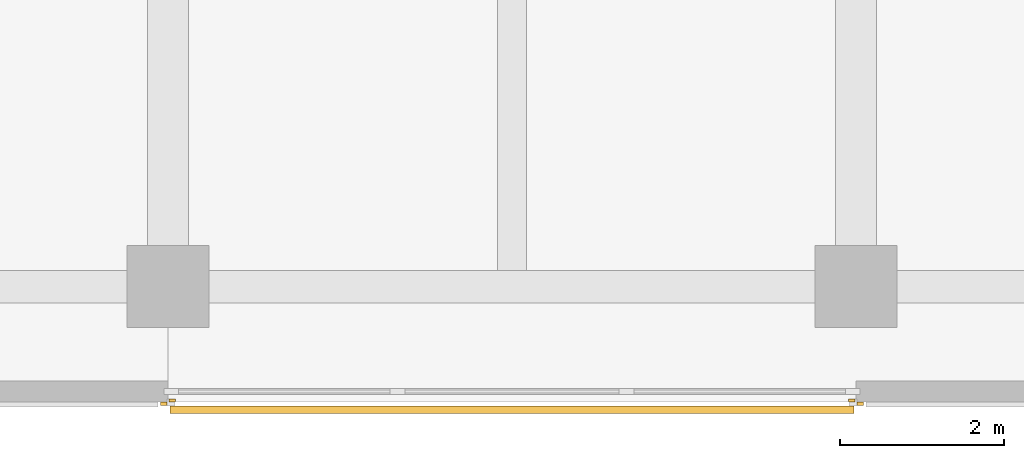
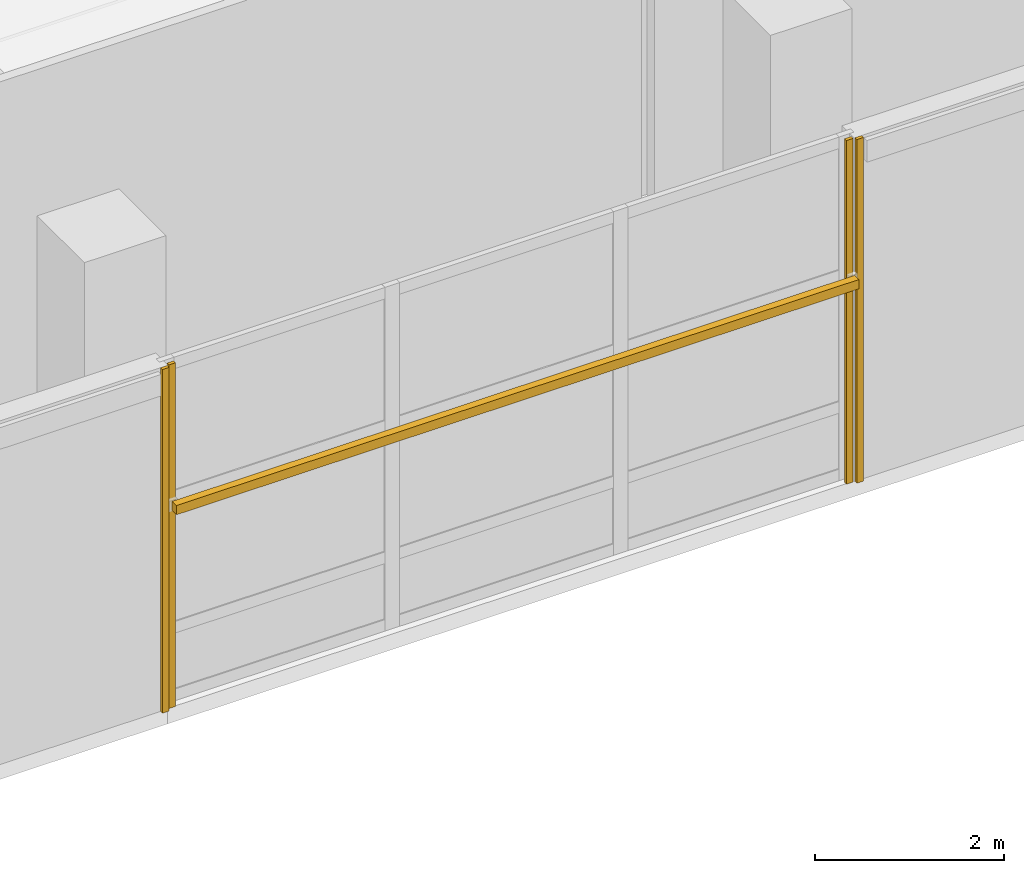
# One storey, part 112 of 140: 4 coverings, 1 shading device.
"""IFC4 building model written with IfcOpenShell, lengths in metres."""

from ifc_helpers import new_model, si_unit, direction, frame, origin, origin_2d, place, context, subcontext, project, spatial, rectangle, extrude, material, layer, layer_set, type_object, element, save


model = new_model("IFC4")

# Units and contexts
model_context = context("Model", 3, precision=1e-05, world=origin(), true_north=direction((0.0, 1.0)))
body_context = subcontext(model_context, "Body", "Model", "MODEL_VIEW")
ifc_project = project(units=[si_unit("LENGTHUNIT", "METRE"), si_unit("AREAUNIT", "SQUARE_METRE"), si_unit("VOLUMEUNIT", "CUBIC_METRE"), si_unit("PLANEANGLEUNIT", "RADIAN"), si_unit("MASSUNIT", "GRAM", prefix="KILO")], contexts=[model_context])

# Site, building, storey
site_placement = place(None, origin())
site = spatial("IfcSite", under=ifc_project, at=site_placement, CompositionType="ELEMENT")
building_placement = place(site_placement, origin())
building = spatial("IfcBuilding", under=site, at=building_placement, Name="Telukmera Botanical Conservatory", CompositionType="ELEMENT")
storey_placement = place(building_placement, origin())
storey = spatial("IfcBuildingStorey", under=building, at=storey_placement, Name="L00", CompositionType="ELEMENT", Elevation=0.0)

# Coverings
ifc_material_1 = material(Name="Granite-faced precast concrete C40/50", Category="masonry")
ifc_layer_1 = layer(ifc_material_1, 0.0400390625)
ifc_layer_set_1 = layer_set([ifc_layer_1], Name="Granite-faced precast concrete C40/50")
covering_type = type_object("IfcCoveringType", Name="Granite Precast Column Pier Reveal Casing", PredefinedType="CLADDING", material=ifc_layer_set_1)
for number, where, z_axis, x_axis, name in (
    (1, (75.548095703125, 9.169921875, 0.0), (0.0, 0.0, 1.0), (1.0, 0.0, 0.0), "Granite Pier Reveal V4:L00:S3 R"),
    (2, (75.652099609375, 9.2099609375, 0.0), (0.0, 0.0, 1.0), (1.0, 0.0, 0.0), "Granite Pier Reveal V4:L00:S4 L"),
    (3, (83.947998046875, 9.2099609375, 0.0), (0.0, 0.0, 1.0), (1.0, 0.0, 0.0), "Granite Pier Reveal V4:L00:S4 R"),
    (4, (84.052001953125, 9.169921875, 0.0), (0.0, 0.0, 1.0), (1.0, 0.0, 0.0), "Granite Pier Reveal V4:L00:S5 L"),
):
    element("IfcCovering", number, at=place(storey_placement, frame(where, z_axis=z_axis, x_axis=x_axis)), inside=storey, type_object=covering_type, Name=name, PredefinedType="CLADDING", context=body_context, shape_type="SweptSolid", body=[
        extrude(rectangle(XDim=0.080078125, YDim=0.0400390625, at=origin_2d()), origin(), (0.0, 0.0, 1.0), 4.449951171875),
    ])

# Shading device
ifc_material_2 = material(Name="Perforated terracotta-anodised aluminium 6063-T6", Category="masonry")
ifc_layer_2 = layer(ifc_material_2, 0.044921875)
ifc_layer_set_2 = layer_set([ifc_layer_2], Name="Perforated terracotta-anodised aluminium 6063-T6")
shading_device_type = type_object("IfcShadingDeviceType", Name="Perforated Terracotta Aluminium Monsoon Brise Soleil", PredefinedType="JALOUSIE", material=ifc_layer_set_2)
shading_device_placement = place(storey_placement, frame((79.800048828125, 9.094970703125, 2.58984375), z_axis=(0.0, 0.0, 1.0), x_axis=(1.0, 0.0, 0.0)))
element("IfcShadingDevice", 5, at=shading_device_placement, inside=storey, type_object=shading_device_type, Name="Monsoon Shading BS01 V4:L00:S4", PredefinedType="JALOUSIE", context=body_context, shape_type="SweptSolid", body=[
    extrude(rectangle(XDim=8.35595703125, YDim=0.090087890625, at=origin_2d()), origin(), (0.0, 0.0, 1.0), 0.1201171875),
])

save(model, "model.ifc")
